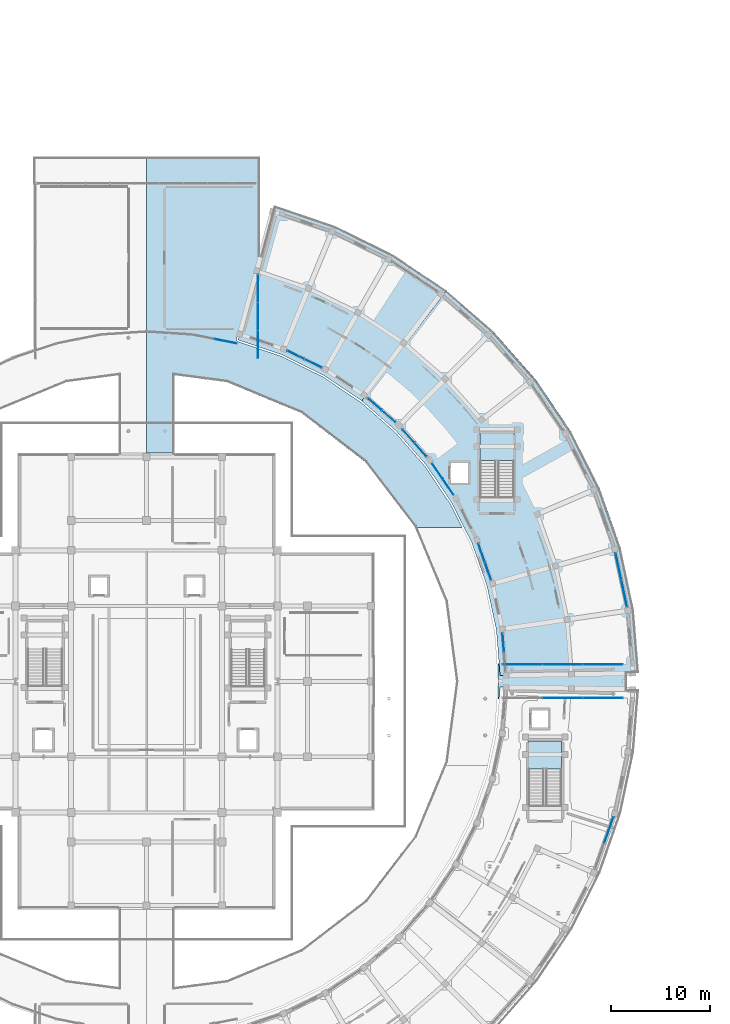
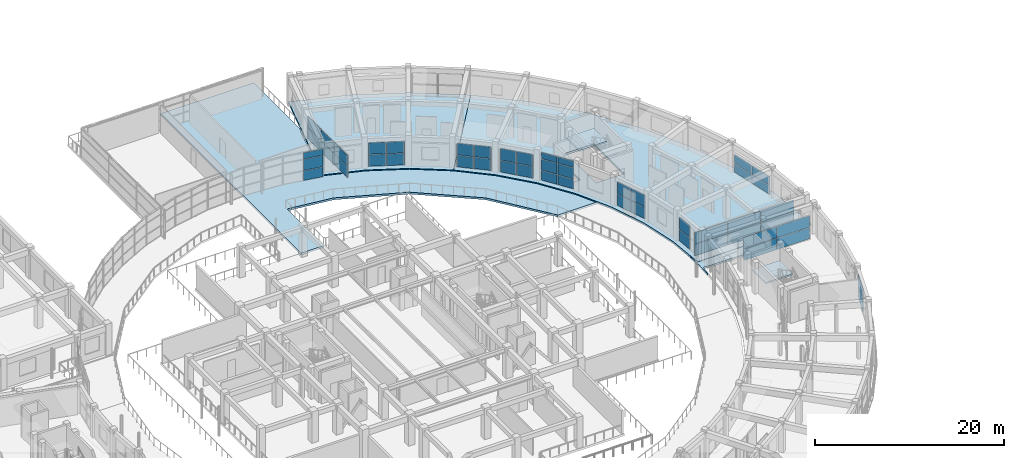
# One storey, part 49 of 83: 49 plates, 6 slabs, 14 elements without a shape of their own.
"""IFC4 building model written with IfcOpenShell, lengths in metres."""

from ifc_helpers import new_model, si_unit, direction, frame, origin, origin_2d, place, context, subcontext, project, spatial, polyline, rectangle, outline, extrude, material, layer, layer_set, type_object, element, aggregate, save


model = new_model("IFC4")

# Units and contexts
model_context = context("Model", 3, precision=1e-05, world=origin(), true_north=direction((0.0, 1.0)))
body_context = subcontext(model_context, "Body", "Model", "MODEL_VIEW")
ifc_project = project(units=[si_unit("LENGTHUNIT", "METRE"), si_unit("AREAUNIT", "SQUARE_METRE"), si_unit("VOLUMEUNIT", "CUBIC_METRE"), si_unit("PLANEANGLEUNIT", "RADIAN"), si_unit("MASSUNIT", "GRAM", prefix="KILO")], contexts=[model_context])

# Site, building, storey
site_placement = place(None, origin())
site = spatial("IfcSite", under=ifc_project, at=site_placement, CompositionType="ELEMENT")
building_placement = place(site_placement, origin())
building = spatial("IfcBuilding", under=site, at=building_placement, Name="Saryqyr Civic Hall", CompositionType="ELEMENT")
storey_placement = place(building_placement, frame((0.0, 0.0, 9.14990234375)))
storey = spatial("IfcBuildingStorey", under=building, at=storey_placement, Name="L02", CompositionType="ELEMENT", Elevation=9.14990234375)

# Curtain wall, plates
ifc_material_1 = material(Name="Anodised aluminium and triple low-E glass", Category="aluminium")
curtain_wall_type_1 = type_object("IfcCurtainWallType", Name="ENV-CW-STD-40", PredefinedType="NOTDEFINED", material=ifc_material_1)
curtain_wall_1_placement = place(storey_placement, origin())
curtain_wall_1 = element("IfcCurtainWall", 1, at=curtain_wall_1_placement, inside=storey, type_object=curtain_wall_type_1, Name="Curtain wall V5-CWO-L02-07", PredefinedType="NOTDEFINED")
ifc_material_2 = material(Name="Triple low-E insulated glazing", Category="glass")
ifc_layer_1 = layer(ifc_material_2, 0.053955078125, Name="Triple low-E insulated glazing")
ifc_layer_set_1 = layer_set([ifc_layer_1], Name="Triple low-E insulated glazing")
plate_type = type_object("IfcPlateType", Name="ENV-CW-PNL-38", PredefinedType="CURTAIN_PANEL", material=ifc_layer_set_1)
plate_1_placement = place(storey_placement, frame((103.565673828125, 69.015380859375, 0.06005859375), z_axis=(0.0, 0.0, 1.0), x_axis=(-0.33318018147, -0.942863174949, 0.0)))
plate_1 = element("IfcPlate", 2, at=plate_1_placement, type_object=plate_type, Name="CW-40 panel 1.1", PredefinedType="CURTAIN_PANEL", context=body_context, shape_type="SweptSolid", body=[
    extrude(rectangle(XDim=2.713623046875, YDim=0.053955078125, at=origin_2d()), origin(), (0.0, 0.0, 1.0), 1.491943359375),
])
plate_2_placement = place(storey_placement, frame((103.565673828125, 69.015380859375, 1.6123046875), z_axis=(0.0, 0.0, 1.0), x_axis=(-0.33318018147, -0.942863174949, 0.0)))
plate_2 = element("IfcPlate", 3, at=plate_2_placement, type_object=plate_type, Name="CW-40 panel 1.2", PredefinedType="CURTAIN_PANEL", context=body_context, shape_type="SweptSolid", body=[
    extrude(rectangle(XDim=2.713623046875, YDim=0.053955078125, at=origin_2d()), origin(), (0.0, 0.0, 1.0), 1.492919921875),
])
aggregate(curtain_wall_1, [plate_1, plate_2])

curtain_wall_type_2 = type_object("IfcCurtainWallType", Name="ENV-CW-STD-21", PredefinedType="NOTDEFINED", material=ifc_material_1)
curtain_wall_2_placement = place(storey_placement, origin())
curtain_wall_2 = element("IfcCurtainWall", 4, at=curtain_wall_2_placement, inside=storey, type_object=curtain_wall_type_2, Name="Curtain wall V6-CWI-L02-00", PredefinedType="NOTDEFINED")
plate_3_placement = place(storey_placement, frame((92.92578125, 87.91015625, 0.06005859375), z_axis=(0.0, 0.0, 1.0), x_axis=(-0.081090889978, 0.996706710905, 0.0)))
plate_3 = element("IfcPlate", 5, at=plate_3_placement, type_object=plate_type, Name="CW-21 panel 2.1", PredefinedType="CURTAIN_PANEL", context=body_context, shape_type="SweptSolid", body=[
    extrude(rectangle(XDim=1.906494140625, YDim=0.053955078125, at=origin_2d()), origin(), (0.0, 0.0, 1.0), 1.491943359375),
])
plate_4_placement = place(storey_placement, frame((92.92578125, 87.91015625, 1.6123046875), z_axis=(0.0, 0.0, 1.0), x_axis=(-0.081090889978, 0.996706710905, 0.0)))
plate_4 = element("IfcPlate", 6, at=plate_4_placement, type_object=plate_type, Name="CW-21 panel 2.2", PredefinedType="CURTAIN_PANEL", context=body_context, shape_type="SweptSolid", body=[
    extrude(rectangle(XDim=1.906494140625, YDim=0.053955078125, at=origin_2d()), origin(), (0.0, 0.0, 1.0), 1.492919921875),
])
aggregate(curtain_wall_2, [plate_3, plate_4])

curtain_wall_type_3 = type_object("IfcCurtainWallType", Name="ENV-CW-STD-03", PredefinedType="NOTDEFINED", material=ifc_material_1)
curtain_wall_3_placement = place(storey_placement, origin())
curtain_wall_3 = element("IfcCurtainWall", 7, at=curtain_wall_3_placement, inside=storey, type_object=curtain_wall_type_3, Name="Curtain wall V6-CWO-L02-01", PredefinedType="NOTDEFINED")
plate_5_placement = place(storey_placement, frame((104.52783203125, 95.576904296875, 0.06005859375), z_axis=(0.0, 0.0, 1.0), x_axis=(0.208908324386, -0.97793522894, 0.0)))
plate_5 = element("IfcPlate", 8, at=plate_5_placement, type_object=plate_type, Name="CW-03 panel 1.1", PredefinedType="CURTAIN_PANEL", context=body_context, shape_type="SweptSolid", body=[
    extrude(rectangle(XDim=2.7265625, YDim=0.053955078125, at=origin_2d()), origin(), (0.0, 0.0, 1.0), 1.135009765625),
])
plate_6_placement = place(storey_placement, frame((104.52783203125, 95.576904296875, 1.2548828125), z_axis=(0.0, 0.0, 1.0), x_axis=(0.208908324386, -0.97793522894, 0.0)))
plate_6 = element("IfcPlate", 9, at=plate_6_placement, type_object=plate_type, Name="CW-03 panel 1.2", PredefinedType="CURTAIN_PANEL", context=body_context, shape_type="SweptSolid", body=[
    extrude(rectangle(XDim=2.7265625, YDim=0.053955078125, at=origin_2d()), origin(), (0.0, 0.0, 1.0), 1.135009765625),
])
plate_7_placement = place(storey_placement, frame((105.110107421875, 92.851806640625, 0.06005859375), z_axis=(0.0, 0.0, 1.0), x_axis=(0.208908324386, -0.97793522894, 0.0)))
plate_7 = element("IfcPlate", 10, at=plate_7_placement, type_object=plate_type, Name="CW-03 panel 2.1", PredefinedType="CURTAIN_PANEL", context=body_context, shape_type="SweptSolid", body=[
    extrude(rectangle(XDim=2.7265625, YDim=0.053955078125, at=origin_2d()), origin(), (0.0, 0.0, 1.0), 1.135009765625),
])
plate_8_placement = place(storey_placement, frame((105.110107421875, 92.851806640625, 1.2548828125), z_axis=(0.0, 0.0, 1.0), x_axis=(0.208908324386, -0.97793522894, 0.0)))
plate_8 = element("IfcPlate", 11, at=plate_8_placement, type_object=plate_type, Name="CW-03 panel 2.2", PredefinedType="CURTAIN_PANEL", context=body_context, shape_type="SweptSolid", body=[
    extrude(rectangle(XDim=2.7265625, YDim=0.053955078125, at=origin_2d()), origin(), (0.0, 0.0, 1.0), 1.135009765625),
])
aggregate(curtain_wall_3, [plate_5, plate_6, plate_7, plate_8])

curtain_wall_4_placement = place(storey_placement, origin())
curtain_wall_4 = element("IfcCurtainWall", 12, at=curtain_wall_4_placement, inside=storey, type_object=curtain_wall_type_2, Name="Curtain wall V6-CWI-L02-02", PredefinedType="NOTDEFINED")
plate_9_placement = place(storey_placement, frame((91.384765625, 95.118408203125, 0.06005859375), z_axis=(0.0, 0.0, 1.0), x_axis=(-0.333171977335, 0.94286607401, 0.0)))
plate_9 = element("IfcPlate", 13, at=plate_9_placement, type_object=plate_type, Name="CW-21 panel 1.1", PredefinedType="CURTAIN_PANEL", context=body_context, shape_type="SweptSolid", body=[
    extrude(rectangle(XDim=1.886962890625, YDim=0.053955078125, at=origin_2d()), origin(), (0.0, 0.0, 1.0), 1.491943359375),
])
plate_10_placement = place(storey_placement, frame((91.384765625, 95.118408203125, 1.6123046875), z_axis=(0.0, 0.0, 1.0), x_axis=(-0.333171977335, 0.94286607401, 0.0)))
plate_10 = element("IfcPlate", 14, at=plate_10_placement, type_object=plate_type, Name="CW-21 panel 1.2", PredefinedType="CURTAIN_PANEL", context=body_context, shape_type="SweptSolid", body=[
    extrude(rectangle(XDim=1.886962890625, YDim=0.053955078125, at=origin_2d()), origin(), (0.0, 0.0, 1.0), 1.492919921875),
])
plate_11_placement = place(storey_placement, frame((90.73583984375, 96.9541015625, 0.06005859375), z_axis=(0.0, 0.0, 1.0), x_axis=(-0.333171977335, 0.94286607401, 0.0)))
plate_11 = element("IfcPlate", 15, at=plate_11_placement, type_object=plate_type, Name="CW-21 panel 2.1", PredefinedType="CURTAIN_PANEL", context=body_context, shape_type="SweptSolid", body=[
    extrude(rectangle(XDim=1.886962890625, YDim=0.053955078125, at=origin_2d()), origin(), (0.0, 0.0, 1.0), 1.491943359375),
])
plate_12_placement = place(storey_placement, frame((90.73583984375, 96.9541015625, 1.6123046875), z_axis=(0.0, 0.0, 1.0), x_axis=(-0.333171977335, 0.94286607401, 0.0)))
plate_12 = element("IfcPlate", 16, at=plate_12_placement, type_object=plate_type, Name="CW-21 panel 2.2", PredefinedType="CURTAIN_PANEL", context=body_context, shape_type="SweptSolid", body=[
    extrude(rectangle(XDim=1.886962890625, YDim=0.053955078125, at=origin_2d()), origin(), (0.0, 0.0, 1.0), 1.492919921875),
])
aggregate(curtain_wall_4, [plate_9, plate_10, plate_11, plate_12])

curtain_wall_type_4 = type_object("IfcCurtainWallType", Name="ENV-CW-STD-44", PredefinedType="NOTDEFINED", material=ifc_material_1)
curtain_wall_5_placement = place(storey_placement, origin())
curtain_wall_5 = element("IfcCurtainWall", 17, at=curtain_wall_5_placement, inside=storey, type_object=curtain_wall_type_4, Name="Curtain wall V6-CWI-L02-04", PredefinedType="NOTDEFINED")
plate_13_placement = place(storey_placement, frame((87.385986328125, 103.559326171875, 0.06005859375), z_axis=(0.0, 0.0, 1.0), x_axis=(-0.563129803105, 0.826368455869, 0.0)))
plate_13 = element("IfcPlate", 18, at=plate_13_placement, type_object=plate_type, Name="CW-44 panel 1.1", PredefinedType="CURTAIN_PANEL", context=body_context, shape_type="SweptSolid", body=[
    extrude(rectangle(XDim=1.836181640625, YDim=0.053955078125, at=origin_2d()), origin(), (0.0, 0.0, 1.0), 1.241943359375),
])
plate_14_placement = place(storey_placement, frame((87.385986328125, 103.559326171875, 1.362060546875), z_axis=(0.0, 0.0, 1.0), x_axis=(-0.563129803105, 0.826368455869, 0.0)))
plate_14 = element("IfcPlate", 19, at=plate_14_placement, type_object=plate_type, Name="CW-44 panel 1.2", PredefinedType="CURTAIN_PANEL", context=body_context, shape_type="SweptSolid", body=[
    extrude(rectangle(XDim=1.836181640625, YDim=0.053955078125, at=origin_2d()), origin(), (0.0, 0.0, 1.0), 1.419921875),
])
plate_15_placement = place(storey_placement, frame((87.385986328125, 103.559326171875, 2.84228515625), z_axis=(0.0, 0.0, 1.0), x_axis=(-0.563129803105, 0.826368455869, 0.0)))
plate_15 = element("IfcPlate", 20, at=plate_15_placement, type_object=plate_type, Name="CW-44 panel 1.3", PredefinedType="CURTAIN_PANEL", context=body_context, shape_type="SweptSolid", body=[
    extrude(rectangle(XDim=1.836181640625, YDim=0.053955078125, at=origin_2d()), origin(), (0.0, 0.0, 1.0), 0.798095703125),
])
plate_16_placement = place(storey_placement, frame((86.318115234375, 105.126220703125, 0.06005859375), z_axis=(0.0, 0.0, 1.0), x_axis=(-0.563129803105, 0.826368455869, 0.0)))
plate_16 = element("IfcPlate", 21, at=plate_16_placement, type_object=plate_type, Name="CW-44 panel 2.1", PredefinedType="CURTAIN_PANEL", context=body_context, shape_type="SweptSolid", body=[
    extrude(rectangle(XDim=1.836181640625, YDim=0.053955078125, at=origin_2d()), origin(), (0.0, 0.0, 1.0), 1.241943359375),
])
plate_17_placement = place(storey_placement, frame((86.318115234375, 105.126220703125, 1.362060546875), z_axis=(0.0, 0.0, 1.0), x_axis=(-0.563129803105, 0.826368455869, 0.0)))
plate_17 = element("IfcPlate", 22, at=plate_17_placement, type_object=plate_type, Name="CW-44 panel 2.2", PredefinedType="CURTAIN_PANEL", context=body_context, shape_type="SweptSolid", body=[
    extrude(rectangle(XDim=1.836181640625, YDim=0.053955078125, at=origin_2d()), origin(), (0.0, 0.0, 1.0), 1.419921875),
])
plate_18_placement = place(storey_placement, frame((86.318115234375, 105.126220703125, 2.84228515625), z_axis=(0.0, 0.0, 1.0), x_axis=(-0.563129803105, 0.826368455869, 0.0)))
plate_18 = element("IfcPlate", 23, at=plate_18_placement, type_object=plate_type, Name="CW-44 panel 2.3", PredefinedType="CURTAIN_PANEL", context=body_context, shape_type="SweptSolid", body=[
    extrude(rectangle(XDim=1.836181640625, YDim=0.053955078125, at=origin_2d()), origin(), (0.0, 0.0, 1.0), 0.798095703125),
])
aggregate(curtain_wall_5, [plate_13, plate_14, plate_15, plate_16, plate_17, plate_18])

curtain_wall_type_5 = type_object("IfcCurtainWallType", Name="ENV-CW-STD-27", PredefinedType="NOTDEFINED", material=ifc_material_1)
curtain_wall_6_placement = place(storey_placement, origin())
curtain_wall_6 = element("IfcCurtainWall", 24, at=curtain_wall_6_placement, inside=storey, type_object=curtain_wall_type_5, Name="Curtain wall V6-CWI-L02-05", PredefinedType="NOTDEFINED")
plate_19_placement = place(storey_placement, frame((84.59716796875, 107.32861328125, 0.06005859375), z_axis=(0.0, 0.0, 1.0), x_axis=(-0.664934070862, 0.7469020561, 0.0)))
plate_19 = element("IfcPlate", 25, at=plate_19_placement, type_object=plate_type, Name="CW-27 panel 1.1", PredefinedType="CURTAIN_PANEL", context=body_context, shape_type="SweptSolid", body=[
    extrude(rectangle(XDim=1.79248046875, YDim=0.053955078125, at=origin_2d()), origin(), (0.0, 0.0, 1.0), 1.491943359375),
])
plate_20_placement = place(storey_placement, frame((84.59716796875, 107.32861328125, 1.6123046875), z_axis=(0.0, 0.0, 1.0), x_axis=(-0.664934070862, 0.7469020561, 0.0)))
plate_20 = element("IfcPlate", 26, at=plate_20_placement, type_object=plate_type, Name="CW-27 panel 1.2", PredefinedType="CURTAIN_PANEL", context=body_context, shape_type="SweptSolid", body=[
    extrude(rectangle(XDim=1.79248046875, YDim=0.053955078125, at=origin_2d()), origin(), (0.0, 0.0, 1.0), 1.492919921875),
])
plate_21_placement = place(storey_placement, frame((83.365478515625, 108.71240234375, 0.06005859375), z_axis=(0.0, 0.0, 1.0), x_axis=(-0.664934070862, 0.7469020561, 0.0)))
plate_21 = element("IfcPlate", 27, at=plate_21_placement, type_object=plate_type, Name="CW-27 panel 2.1", PredefinedType="CURTAIN_PANEL", context=body_context, shape_type="SweptSolid", body=[
    extrude(rectangle(XDim=1.79248046875, YDim=0.053955078125, at=origin_2d()), origin(), (0.0, 0.0, 1.0), 1.491943359375),
])
plate_22_placement = place(storey_placement, frame((83.365478515625, 108.71240234375, 1.6123046875), z_axis=(0.0, 0.0, 1.0), x_axis=(-0.664934070862, 0.7469020561, 0.0)))
plate_22 = element("IfcPlate", 28, at=plate_22_placement, type_object=plate_type, Name="CW-27 panel 2.2", PredefinedType="CURTAIN_PANEL", context=body_context, shape_type="SweptSolid", body=[
    extrude(rectangle(XDim=1.79248046875, YDim=0.053955078125, at=origin_2d()), origin(), (0.0, 0.0, 1.0), 1.492919921875),
])
aggregate(curtain_wall_6, [plate_19, plate_20, plate_21, plate_22])

curtain_wall_7_placement = place(storey_placement, origin())
curtain_wall_7 = element("IfcCurtainWall", 29, at=curtain_wall_7_placement, inside=storey, type_object=curtain_wall_type_5, Name="Curtain wall V6-CWI-L02-06", PredefinedType="NOTDEFINED")
plate_23_placement = place(storey_placement, frame((81.3623046875, 110.689208984375, 0.06005859375), z_axis=(0.0, 0.0, 1.0), x_axis=(-0.755651502076, 0.654973898267, 0.0)))
plate_23 = element("IfcPlate", 30, at=plate_23_placement, type_object=plate_type, Name="CW-27 panel 1.1", PredefinedType="CURTAIN_PANEL", context=body_context, shape_type="SweptSolid", body=[
    extrude(rectangle(XDim=1.797607421875, YDim=0.053955078125, at=origin_2d()), origin(), (0.0, 0.0, 1.0), 1.491943359375),
])
plate_24_placement = place(storey_placement, frame((81.3623046875, 110.689208984375, 1.6123046875), z_axis=(0.0, 0.0, 1.0), x_axis=(-0.755651502076, 0.654973898267, 0.0)))
plate_24 = element("IfcPlate", 31, at=plate_24_placement, type_object=plate_type, Name="CW-27 panel 1.2", PredefinedType="CURTAIN_PANEL", context=body_context, shape_type="SweptSolid", body=[
    extrude(rectangle(XDim=1.797607421875, YDim=0.053955078125, at=origin_2d()), origin(), (0.0, 0.0, 1.0), 1.492919921875),
])
plate_25_placement = place(storey_placement, frame((79.95849609375, 111.906005859375, 0.06005859375), z_axis=(0.0, 0.0, 1.0), x_axis=(-0.755651502076, 0.654973898267, 0.0)))
plate_25 = element("IfcPlate", 32, at=plate_25_placement, type_object=plate_type, Name="CW-27 panel 2.1", PredefinedType="CURTAIN_PANEL", context=body_context, shape_type="SweptSolid", body=[
    extrude(rectangle(XDim=1.797607421875, YDim=0.053955078125, at=origin_2d()), origin(), (0.0, 0.0, 1.0), 1.491943359375),
])
plate_26_placement = place(storey_placement, frame((79.95849609375, 111.906005859375, 1.6123046875), z_axis=(0.0, 0.0, 1.0), x_axis=(-0.755651502076, 0.654973898267, 0.0)))
plate_26 = element("IfcPlate", 33, at=plate_26_placement, type_object=plate_type, Name="CW-27 panel 2.2", PredefinedType="CURTAIN_PANEL", context=body_context, shape_type="SweptSolid", body=[
    extrude(rectangle(XDim=1.797607421875, YDim=0.053955078125, at=origin_2d()), origin(), (0.0, 0.0, 1.0), 1.492919921875),
])
aggregate(curtain_wall_7, [plate_23, plate_24, plate_25, plate_26])

curtain_wall_type_6 = type_object("IfcCurtainWallType", Name="ENV-CW-STD-25", PredefinedType="NOTDEFINED", material=ifc_material_1)
curtain_wall_8_placement = place(storey_placement, origin())
curtain_wall_8 = element("IfcCurtainWall", 34, at=curtain_wall_8_placement, inside=storey, type_object=curtain_wall_type_6, Name="Curtain wall V6-CWI-L02-08", PredefinedType="NOTDEFINED")
plate_27_placement = place(storey_placement, frame((73.762939453125, 116.01416015625, 0.06005859375), z_axis=(0.0, 0.0, 1.0), x_axis=(-0.897961859945, 0.440073287175, 0.0)))
plate_27 = element("IfcPlate", 35, at=plate_27_placement, type_object=plate_type, Name="CW-25 panel 1.1", PredefinedType="CURTAIN_PANEL", context=body_context, shape_type="SweptSolid", body=[
    extrude(rectangle(XDim=1.868896484375, YDim=0.053955078125, at=origin_2d()), origin(), (0.0, 0.0, 1.0), 1.491943359375),
])
plate_28_placement = place(storey_placement, frame((73.762939453125, 116.01416015625, 1.6123046875), z_axis=(0.0, 0.0, 1.0), x_axis=(-0.897961859945, 0.440073287175, 0.0)))
plate_28 = element("IfcPlate", 36, at=plate_28_placement, type_object=plate_type, Name="CW-25 panel 1.2", PredefinedType="CURTAIN_PANEL", context=body_context, shape_type="SweptSolid", body=[
    extrude(rectangle(XDim=1.868896484375, YDim=0.053955078125, at=origin_2d()), origin(), (0.0, 0.0, 1.0), 1.492919921875),
])
plate_29_placement = place(storey_placement, frame((72.03076171875, 116.863037109375, 0.06005859375), z_axis=(0.0, 0.0, 1.0), x_axis=(-0.897961859945, 0.440073287175, 0.0)))
plate_29 = element("IfcPlate", 37, at=plate_29_placement, type_object=plate_type, Name="CW-25 panel 2.1", PredefinedType="CURTAIN_PANEL", context=body_context, shape_type="SweptSolid", body=[
    extrude(rectangle(XDim=1.868896484375, YDim=0.053955078125, at=origin_2d()), origin(), (0.0, 0.0, 1.0), 1.491943359375),
])
plate_30_placement = place(storey_placement, frame((72.03076171875, 116.863037109375, 1.6123046875), z_axis=(0.0, 0.0, 1.0), x_axis=(-0.897961859945, 0.440073287175, 0.0)))
plate_30 = element("IfcPlate", 38, at=plate_30_placement, type_object=plate_type, Name="CW-25 panel 2.2", PredefinedType="CURTAIN_PANEL", context=body_context, shape_type="SweptSolid", body=[
    extrude(rectangle(XDim=1.868896484375, YDim=0.053955078125, at=origin_2d()), origin(), (0.0, 0.0, 1.0), 1.492919921875),
])
aggregate(curtain_wall_8, [plate_27, plate_28, plate_29, plate_30])

curtain_wall_type_7 = type_object("IfcCurtainWallType", Name="ENV-CW-STD-79", PredefinedType="NOTDEFINED", material=ifc_material_1)
curtain_wall_9_placement = place(storey_placement, origin())
curtain_wall_9 = element("IfcCurtainWall", 39, at=curtain_wall_9_placement, inside=storey, type_object=curtain_wall_type_7, Name="Curtain wall V2-VESTFLK-NE-L02", PredefinedType="NOTDEFINED")
plate_31_placement = place(storey_placement, frame((68.199951171875, 123.569580078125, 0.06005859375), z_axis=(0.0, 0.0, 1.0), x_axis=(0.0, -1.0, 0.0)))
plate_31 = element("IfcPlate", 40, at=plate_31_placement, type_object=plate_type, Name="CW-79 panel 1.1", PredefinedType="CURTAIN_PANEL", context=body_context, shape_type="SweptSolid", body=[
    extrude(rectangle(XDim=2.743896484375, YDim=0.053955078125, at=origin_2d()), origin(), (0.0, 0.0, 1.0), 1.41796875),
])
plate_32_placement = place(storey_placement, frame((68.199951171875, 123.569580078125, 1.5380859375), z_axis=(0.0, 0.0, 1.0), x_axis=(0.0, -1.0, 0.0)))
plate_32 = element("IfcPlate", 41, at=plate_32_placement, type_object=plate_type, Name="CW-79 panel 1.2", PredefinedType="CURTAIN_PANEL", context=body_context, shape_type="SweptSolid", body=[
    extrude(rectangle(XDim=2.743896484375, YDim=0.053955078125, at=origin_2d()), origin(), (0.0, 0.0, 1.0), 1.4169921875),
])
plate_33_placement = place(storey_placement, frame((68.199951171875, 120.750732421875, 0.06005859375), z_axis=(0.0, 0.0, 1.0), x_axis=(0.0, -1.0, 0.0)))
plate_33 = element("IfcPlate", 42, at=plate_33_placement, type_object=plate_type, Name="CW-79 panel 2.1", PredefinedType="CURTAIN_PANEL", context=body_context, shape_type="SweptSolid", body=[
    extrude(rectangle(XDim=2.77392578125, YDim=0.053955078125, at=origin_2d()), origin(), (0.0, 0.0, 1.0), 1.41796875),
])
plate_34_placement = place(storey_placement, frame((68.199951171875, 120.750732421875, 1.5380859375), z_axis=(0.0, 0.0, 1.0), x_axis=(0.0, -1.0, 0.0)))
plate_34 = element("IfcPlate", 43, at=plate_34_placement, type_object=plate_type, Name="CW-79 panel 2.2", PredefinedType="CURTAIN_PANEL", context=body_context, shape_type="SweptSolid", body=[
    extrude(rectangle(XDim=2.77392578125, YDim=0.053955078125, at=origin_2d()), origin(), (0.0, 0.0, 1.0), 1.4169921875),
])
plate_35_placement = place(storey_placement, frame((68.199951171875, 117.931884765625, 0.06005859375), z_axis=(0.0, 0.0, 1.0), x_axis=(0.0, -1.0, 0.0)))
plate_35 = element("IfcPlate", 44, at=plate_35_placement, type_object=plate_type, Name="CW-79 panel 3.1", PredefinedType="CURTAIN_PANEL", context=body_context, shape_type="SweptSolid", body=[
    extrude(rectangle(XDim=2.743896484375, YDim=0.053955078125, at=origin_2d()), origin(), (0.0, 0.0, 1.0), 1.41796875),
])
plate_36_placement = place(storey_placement, frame((68.199951171875, 117.931884765625, 1.5380859375), z_axis=(0.0, 0.0, 1.0), x_axis=(0.0, -1.0, 0.0)))
plate_36 = element("IfcPlate", 45, at=plate_36_placement, type_object=plate_type, Name="CW-79 panel 3.2", PredefinedType="CURTAIN_PANEL", context=body_context, shape_type="SweptSolid", body=[
    extrude(rectangle(XDim=2.743896484375, YDim=0.053955078125, at=origin_2d()), origin(), (0.0, 0.0, 1.0), 1.4169921875),
])
aggregate(curtain_wall_9, [plate_31, plate_32, plate_33, plate_34, plate_35, plate_36])

curtain_wall_type_8 = type_object("IfcCurtainWallType", Name="ENV-CW-STD-74", PredefinedType="NOTDEFINED", material=ifc_material_1)
curtain_wall_10_placement = place(storey_placement, origin())
curtain_wall_10 = element("IfcCurtainWall", 46, at=curtain_wall_10_placement, inside=storey, type_object=curtain_wall_type_8, Name="Curtain wall V2-PERIM-CW-L02-10", PredefinedType="NOTDEFINED")
plate_37_placement = place(storey_placement, frame((64.97119140625, 118.24755859375, 0.06005859375), z_axis=(0.0, 0.0, 1.0), x_axis=(0.980784679507, -0.195093342902, 0.0)))
plate_37 = element("IfcPlate", 47, at=plate_37_placement, type_object=plate_type, Name="CW-74 panel 2.1", PredefinedType="CURTAIN_PANEL", context=body_context, shape_type="SweptSolid", body=[
    extrude(rectangle(XDim=2.213623046875, YDim=0.053955078125, at=origin_2d()), origin(), (0.0, 0.0, 1.0), 1.241943359375),
])
plate_38_placement = place(storey_placement, frame((64.97119140625, 118.24755859375, 1.362060546875), z_axis=(0.0, 0.0, 1.0), x_axis=(0.980784679507, -0.195093342902, 0.0)))
plate_38 = element("IfcPlate", 48, at=plate_38_placement, type_object=plate_type, Name="CW-74 panel 2.2", PredefinedType="CURTAIN_PANEL", context=body_context, shape_type="SweptSolid", body=[
    extrude(rectangle(XDim=2.213623046875, YDim=0.053955078125, at=origin_2d()), origin(), (0.0, 0.0, 1.0), 1.419921875),
])
plate_39_placement = place(storey_placement, frame((64.97119140625, 118.24755859375, 2.84228515625), z_axis=(0.0, 0.0, 1.0), x_axis=(0.980784679507, -0.195093342902, 0.0)))
plate_39 = element("IfcPlate", 49, at=plate_39_placement, type_object=plate_type, Name="CW-74 panel 2.3", PredefinedType="CURTAIN_PANEL", context=body_context, shape_type="SweptSolid", body=[
    extrude(rectangle(XDim=2.213623046875, YDim=0.053955078125, at=origin_2d()), origin(), (0.0, 0.0, 1.0), 0.798095703125),
])
aggregate(curtain_wall_10, [plate_37, plate_38, plate_39])

curtain_wall_type_9 = type_object("IfcCurtainWallType", Name="ENV-CW-STD-81", PredefinedType="NOTDEFINED", material=ifc_material_1)
curtain_wall_11_placement = place(storey_placement, origin())
curtain_wall_11 = element("IfcCurtainWall", 50, at=curtain_wall_11_placement, inside=storey, type_object=curtain_wall_type_9, Name="Curtain wall BR-E-CW1-L02", PredefinedType="NOTDEFINED")
plate_40_placement = place(storey_placement, frame((102.95166015625, 82.320068359375, 0.06005859375), z_axis=(0.0, 0.0, 1.0), x_axis=(-1.0, 0.0, 0.0)))
plate_40 = element("IfcPlate", 51, at=plate_40_placement, type_object=plate_type, Name="CW-81 panel 1.1", PredefinedType="CURTAIN_PANEL", context=body_context, shape_type="SweptSolid", body=[
    extrude(rectangle(XDim=3.9765625, YDim=0.053955078125, at=origin_2d()), origin(), (0.0, 0.0, 1.0), 1.4599609375),
])
plate_41_placement = place(storey_placement, frame((102.95166015625, 82.320068359375, 1.580078125), z_axis=(0.0, 0.0, 1.0), x_axis=(-1.0, 0.0, 0.0)))
plate_41 = element("IfcPlate", 52, at=plate_41_placement, type_object=plate_type, Name="CW-81 panel 1.2", PredefinedType="CURTAIN_PANEL", context=body_context, shape_type="SweptSolid", body=[
    extrude(rectangle(XDim=3.9765625, YDim=0.053955078125, at=origin_2d()), origin(), (0.0, 0.0, 1.0), 1.4599609375),
])
plate_42_placement = place(storey_placement, frame((98.89990234375, 82.320068359375, 0.06005859375), z_axis=(0.0, 0.0, 1.0), x_axis=(-1.0, 0.0, 0.0)))
plate_42 = element("IfcPlate", 53, at=plate_42_placement, type_object=plate_type, Name="CW-81 panel 2.1", PredefinedType="CURTAIN_PANEL", context=body_context, shape_type="SweptSolid", body=[
    extrude(rectangle(XDim=4.006591796875, YDim=0.053955078125, at=origin_2d()), origin(), (0.0, 0.0, 1.0), 1.4599609375),
])
plate_43_placement = place(storey_placement, frame((98.89990234375, 82.320068359375, 1.580078125), z_axis=(0.0, 0.0, 1.0), x_axis=(-1.0, 0.0, 0.0)))
plate_43 = element("IfcPlate", 54, at=plate_43_placement, type_object=plate_type, Name="CW-81 panel 2.2", PredefinedType="CURTAIN_PANEL", context=body_context, shape_type="SweptSolid", body=[
    extrude(rectangle(XDim=4.006591796875, YDim=0.053955078125, at=origin_2d()), origin(), (0.0, 0.0, 1.0), 1.4599609375),
])
aggregate(curtain_wall_11, [plate_40, plate_41, plate_42, plate_43])

curtain_wall_12_placement = place(storey_placement, origin())
curtain_wall_12 = element("IfcCurtainWall", 55, at=curtain_wall_12_placement, inside=storey, type_object=curtain_wall_type_9, Name="Curtain wall BR-E-CW2-L02", PredefinedType="NOTDEFINED")
plate_44_placement = place(storey_placement, frame((94.848388671875, 85.679931640625, 0.06005859375), z_axis=(0.0, 0.0, 1.0), x_axis=(1.0, 0.0, 0.0)))
plate_44 = element("IfcPlate", 56, at=plate_44_placement, type_object=plate_type, Name="CW-81 panel 1.1", PredefinedType="CURTAIN_PANEL", context=body_context, shape_type="SweptSolid", body=[
    extrude(rectangle(XDim=3.9765625, YDim=0.053955078125, at=origin_2d()), origin(), (0.0, 0.0, 1.0), 1.4599609375),
])
plate_45_placement = place(storey_placement, frame((94.848388671875, 85.679931640625, 1.580078125), z_axis=(0.0, 0.0, 1.0), x_axis=(1.0, 0.0, 0.0)))
plate_45 = element("IfcPlate", 57, at=plate_45_placement, type_object=plate_type, Name="CW-81 panel 1.2", PredefinedType="CURTAIN_PANEL", context=body_context, shape_type="SweptSolid", body=[
    extrude(rectangle(XDim=3.9765625, YDim=0.053955078125, at=origin_2d()), origin(), (0.0, 0.0, 1.0), 1.4599609375),
])
plate_46_placement = place(storey_placement, frame((98.89990234375, 85.679931640625, 0.06005859375), z_axis=(0.0, 0.0, 1.0), x_axis=(1.0, 0.0, 0.0)))
plate_46 = element("IfcPlate", 58, at=plate_46_placement, type_object=plate_type, Name="CW-81 panel 2.1", PredefinedType="CURTAIN_PANEL", context=body_context, shape_type="SweptSolid", body=[
    extrude(rectangle(XDim=4.006591796875, YDim=0.053955078125, at=origin_2d()), origin(), (0.0, 0.0, 1.0), 1.4599609375),
])
plate_47_placement = place(storey_placement, frame((98.89990234375, 85.679931640625, 1.580078125), z_axis=(0.0, 0.0, 1.0), x_axis=(1.0, 0.0, 0.0)))
plate_47 = element("IfcPlate", 59, at=plate_47_placement, type_object=plate_type, Name="CW-81 panel 2.2", PredefinedType="CURTAIN_PANEL", context=body_context, shape_type="SweptSolid", body=[
    extrude(rectangle(XDim=4.006591796875, YDim=0.053955078125, at=origin_2d()), origin(), (0.0, 0.0, 1.0), 1.4599609375),
])
plate_48_placement = place(storey_placement, frame((102.95166015625, 85.679931640625, 0.06005859375), z_axis=(0.0, 0.0, 1.0), x_axis=(1.0, 0.0, 0.0)))
plate_48 = element("IfcPlate", 60, at=plate_48_placement, type_object=plate_type, Name="CW-81 panel 3.1", PredefinedType="CURTAIN_PANEL", context=body_context, shape_type="SweptSolid", body=[
    extrude(rectangle(XDim=3.9765625, YDim=0.053955078125, at=origin_2d()), origin(), (0.0, 0.0, 1.0), 1.4599609375),
])
plate_49_placement = place(storey_placement, frame((102.95166015625, 85.679931640625, 1.580078125), z_axis=(0.0, 0.0, 1.0), x_axis=(1.0, 0.0, 0.0)))
plate_49 = element("IfcPlate", 61, at=plate_49_placement, type_object=plate_type, Name="CW-81 panel 3.2", PredefinedType="CURTAIN_PANEL", context=body_context, shape_type="SweptSolid", body=[
    extrude(rectangle(XDim=3.9765625, YDim=0.053955078125, at=origin_2d()), origin(), (0.0, 0.0, 1.0), 1.4599609375),
])
aggregate(curtain_wall_12, [plate_44, plate_45, plate_46, plate_47, plate_48, plate_49])

# Slabs
ifc_material_3 = material(Name="Concrete C35/45", Category="concrete")
ifc_layer_2 = layer(ifc_material_3, 0.22998046875, Name="Concrete C35/45")
ifc_layer_set_2 = layer_set([ifc_layer_2], Name="Concrete C35/45")
slab_type_1 = type_object("IfcSlabType", Name="STR-SLB-FLR-230", PredefinedType="FLOOR", material=ifc_layer_set_2)
slab_1_placement = place(storey_placement, frame((0.0, 0.0, -0.22998046875)))
element("IfcSlab", 62, at=slab_1_placement, inside=storey, type_object=slab_type_1, Name="Slab SLB-BR-E-L02", PredefinedType="FLOOR", context=body_context, shape_type="SweptSolid", body=[
    extrude(outline(polyline([(105.39990234375, 83.197509765625), (92.59521484375, 83.409912109375), (92.497802734375, 82.199951171875), (92.39990234375, 82.199951171875), (92.39990234375, 83.3896484375), (92.43994140625, 84.0), (92.39990234375, 84.6103515625), (92.39990234375, 85.800048828125), (92.4970703125, 85.800048828125), (92.59521484375, 84.590087890625), (105.39990234375, 84.802490234375), (105.39990234375, 83.197509765625)])), origin(), (0.0, 0.0, 1.0), 0.22998046875),
])
ifc_layer_3 = layer(ifc_material_3, 0.25, Name="Concrete C35/45")
ifc_layer_set_3 = layer_set([ifc_layer_3], Name="Concrete C35/45")
slab_type_2 = type_object("IfcSlabType", Name="STR-SLB-FLR-250", PredefinedType="FLOOR", material=ifc_layer_set_3)
slab_2_placement = place(storey_placement, frame((0.0, 0.0, -0.25)))
element("IfcSlab", 63, at=slab_2_placement, inside=storey, type_object=slab_type_2, Name="Slab SLB-V2NE-L02", PredefinedType="FLOOR", context=body_context, shape_type="SweptSolid", body=[
    extrude(outline(polyline([(68.39990234375, 127.16357421875), (66.0595703125, 118.428466796875), (66.085693359375, 118.291259765625), (66.16259765625, 118.235595703125), (70.56201171875, 116.741943359375), (74.7197265625, 114.691650390625), (78.574462890625, 112.1162109375), (82.026611328125, 109.089111328125), (85.06005859375, 105.638916015625), (87.620849609375, 101.826171875), (88.78662109375, 99.5), (84.061279296875, 99.5), (84.02001953125, 99.60009765625), (79.061767578125, 106.061767578125), (72.60009765625, 111.02001953125), (65.0751953125, 114.136962890625), (59.800048828125, 114.831298828125), (59.800048828125, 107.0), (57.0, 107.0), (57.0, 136.800048828125), (68.39990234375, 136.800048828125), (68.39990234375, 127.16357421875)])), origin(), (0.0, 0.0, 1.0), 0.25),
])
ifc_layer_4 = layer(ifc_material_3, 0.280029296875, Name="Concrete C35/45")
ifc_layer_set_4 = layer_set([ifc_layer_4], Name="Concrete C35/45")
slab_type_3 = type_object("IfcSlabType", Name="STR-SLB-FLR-280", PredefinedType="FLOOR", material=ifc_layer_set_4)
slab_3_placement = place(storey_placement, frame((0.0, 0.0, -0.27978515625)))
element("IfcSlab", 64, at=slab_3_placement, inside=storey, type_object=slab_type_3, Name="Slab SLB-V6A-L02", PredefinedType="FLOOR", context=body_context, shape_type="SweptSolid", body=[
    extrude(outline(polyline([(92.225830078125, 89.14794921875), (91.275390625, 93.62060546875), (89.759521484375, 97.9345703125), (87.703125, 102.0185546875), (85.140380859375, 105.805419921875), (82.11328125, 109.232666015625), (78.671875, 112.243408203125), (87.194580078125, 123.350341796875), (91.9892578125, 119.155517578125), (96.206787109375, 114.380615234375), (99.777587890625, 109.1044921875), (102.642578125, 103.414306640625), (104.75439453125, 97.40380859375), (106.07861328125, 91.17236328125), (106.59326171875, 84.822509765625), (92.59521484375, 84.590087890625), (92.225830078125, 89.14794921875)]), holes=[polyline([(89.39990234375, 103.949951171875), (89.39990234375, 106.050048828125), (87.60009765625, 106.050048828125), (87.60009765625, 103.949951171875), (89.39990234375, 103.949951171875)]), polyline([(94.0, 109.0), (90.56005859375, 109.0), (90.56005859375, 102.6201171875), (94.0, 102.6201171875), (94.0, 109.0)])]), origin(), (0.0, 0.0, 1.0), 0.27978515625),
])
slab_4_placement = place(storey_placement, frame((0.0, 0.0, -0.27978515625)))
element("IfcSlab", 65, at=slab_4_placement, inside=storey, type_object=slab_type_3, Name="Slab SLB-V6B-L02", PredefinedType="FLOOR", context=body_context, shape_type="SweptSolid", body=[
    extrude(outline(polyline([(74.800048828125, 114.83056640625), (70.62353515625, 116.89013671875), (66.214111328125, 118.386962890625), (69.83740234375, 131.909912109375), (75.981201171875, 129.824462890625), (81.800048828125, 126.954833984375), (87.194580078125, 123.350341796875), (78.671875, 112.243408203125), (74.800048828125, 114.83056640625)])), origin(), (0.0, 0.0, 1.0), 0.27978515625),
])

# Stair, slab
stair_type_1 = type_object("IfcStairType", Name="INT-STR-ST-5", PredefinedType="HALF_TURN_STAIR", material=ifc_material_3)
stair_1_placement = place(storey_placement, origin())
stair_1 = element("IfcStair", 66, at=stair_1_placement, inside=storey, type_object=stair_type_1, Name="L02 Protected Exit Stair ST-5", PredefinedType="HALF_TURN_STAIR")
ifc_layer_5 = layer(ifc_material_3, 0.199951171875, Name="Concrete C35/45")
ifc_layer_set_5 = layer_set([ifc_layer_5], Name="Concrete C35/45")
slab_type_4 = type_object("IfcSlabType", Name="STR-SLB-LND-200", PredefinedType="LANDING", material=ifc_layer_set_5)
slab_5_placement = place(storey_placement, frame((0.0, 0.0, 1.8251953125)))
slab_5 = element("IfcSlab", 67, at=slab_5_placement, type_object=slab_type_4, Name="ST-5 landing 1", PredefinedType="LANDING", context=body_context, shape_type="SweptSolid", body=[
    extrude(outline(polyline([(98.800048828125, 75.159912109375), (98.800048828125, 78.0), (95.47998046875, 78.0), (95.47998046875, 75.159912109375), (98.800048828125, 75.159912109375)])), origin(), (0.0, 0.0, 1.0), 0.199951171875),
])
aggregate(stair_1, [slab_5])

stair_type_2 = type_object("IfcStairType", Name="INT-STR-ST-6", PredefinedType="HALF_TURN_STAIR", material=ifc_material_3)
stair_2_placement = place(storey_placement, origin())
stair_2 = element("IfcStair", 68, at=stair_2_placement, inside=storey, type_object=stair_type_2, Name="L02 Protected Exit Stair ST-6", PredefinedType="HALF_TURN_STAIR")
slab_6_placement = place(storey_placement, frame((0.0, 0.0, 1.8251953125)))
slab_6 = element("IfcSlab", 69, at=slab_6_placement, type_object=slab_type_4, Name="ST-6 landing 1", PredefinedType="LANDING", context=body_context, shape_type="SweptSolid", body=[
    extrude(outline(polyline([(94.0, 106.219970703125), (94.0, 109.0), (90.56005859375, 109.0), (90.56005859375, 106.219970703125), (94.0, 106.219970703125)])), origin(), (0.0, 0.0, 1.0), 0.199951171875),
])
aggregate(stair_2, [slab_6])

save(model, "model.ifc")
